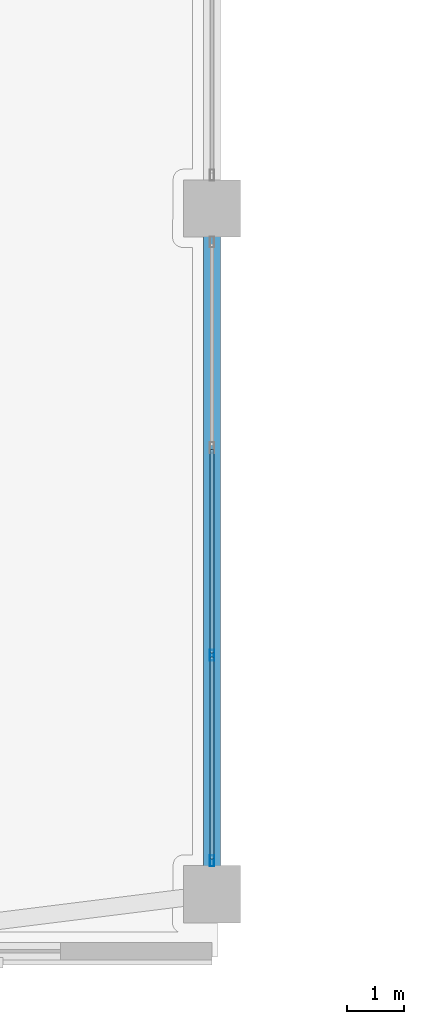
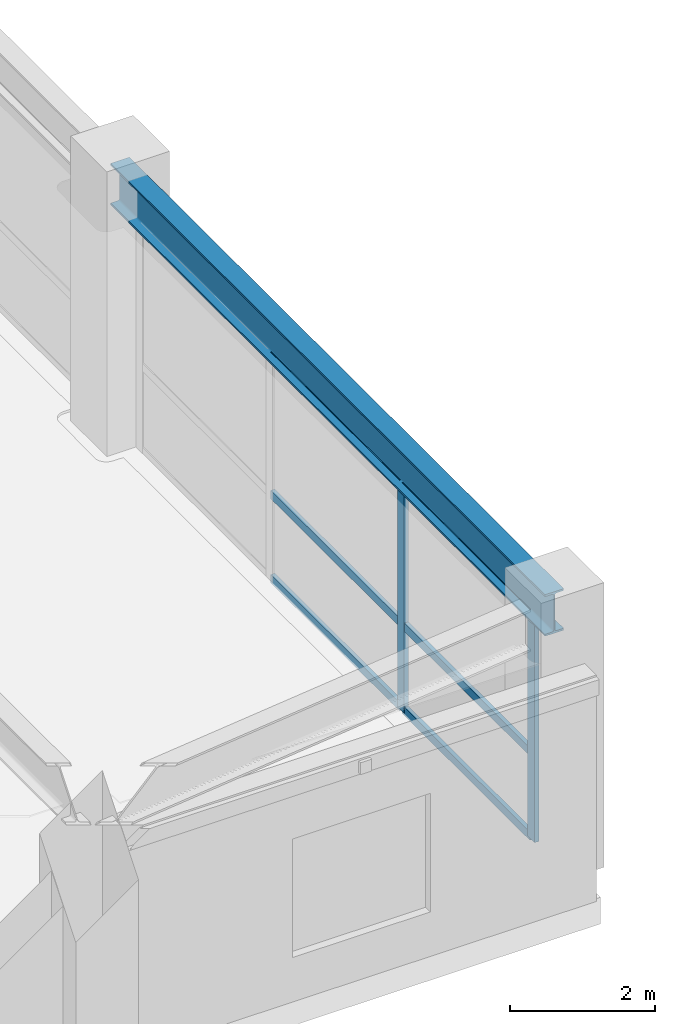
# One storey, part 3 of 34: 8 members, 1 beam, 1 element without a shape of its own.
"""IFC4 building model written with IfcOpenShell, lengths in metres."""

from ifc_helpers import new_model, si_unit, derived_unit, direction, frame, origin, origin_2d, place, context, subcontext, project, spatial, hollow_rectangle, i_section, extrude, source, transform, mapped, material, layer, layer_set, material_profile, profile_set, type_object, element, aggregate, save


model = new_model("IFC4")

# Units and contexts
model_context = context("Model", 3, precision=1e-05, world=origin(), true_north=direction((0.0, 1.0)))
body_context = subcontext(model_context, "Body", "Model", "MODEL_VIEW")
ifc_project = project(units=[si_unit("LENGTHUNIT", "METRE"), si_unit("AREAUNIT", "SQUARE_METRE"), si_unit("VOLUMEUNIT", "CUBIC_METRE"), si_unit("PLANEANGLEUNIT", "RADIAN"), si_unit("MASSUNIT", "GRAM", prefix="KILO"), derived_unit("THERMALTRANSMITTANCEUNIT", [(si_unit("POWERUNIT", "WATT"), 1), (si_unit("LENGTHUNIT", "METRE"), -2), (si_unit("THERMODYNAMICTEMPERATUREUNIT", "KELVIN"), -1)])], contexts=[model_context])

# Site, building, storey
site_placement = place(None, origin())
site = spatial("IfcSite", under=ifc_project, at=site_placement, CompositionType="ELEMENT")
building_placement = place(site_placement, origin())
building = spatial("IfcBuilding", under=site, at=building_placement, Name="Korsvarv Bourse and Concert Hall", CompositionType="ELEMENT")
storey_placement = place(building_placement, frame((0.0, 0.0, 14.39990234375)))
storey = spatial("IfcBuildingStorey", under=building, at=storey_placement, Name="L03", CompositionType="ELEMENT", Elevation=14.39990234375)

# Beam
ifc_material_1 = material(Name="Steel S355", Category="steel")
ifc_material_profile_1 = material_profile(ifc_material_1, i_section(OverallWidth=0.300048828125, OverallDepth=0.699951171875, WebThickness=0.01708984375, FlangeThickness=0.031982421875, FilletRadius=0.027099609375, at=origin_2d()), Name="HEB 700")
ifc_profile_set_1 = profile_set([ifc_material_profile_1], Name="Steel S355")
beam_type = type_object("IfcBeamType", Name="BM-HEB700", PredefinedType="BEAM", material=ifc_profile_set_1)
shared_shape_1 = source(origin(), body_context, "Body", "SweptSolid", [
    extrude(i_section(OverallWidth=0.300048828125, OverallDepth=0.699951171875, WebThickness=0.01708984375, FlangeThickness=0.031982421875, FilletRadius=0.027099609375, at=origin_2d()), origin(), (0.0, 0.0, 1.0), 12.0),
])
beam_placement = place(storey_placement, frame((66.0, 4.0, 4.170166015625), z_axis=(0.0, 1.0, 0.0), x_axis=(-1.0, 0.0, 0.0)))
element("IfcBeam", 1, at=beam_placement, inside=storey, type_object=beam_type, Name="L03 beam B-03", PredefinedType="BEAM", context=body_context, shape_type="MappedRepresentation", body=[
    mapped(shared_shape_1, transform((0.0, 0.0, 0.0), scale=1.0)),
])

# Curtain wall, members
ifc_material_2 = material(Name="Anodised aluminium and triple low-E glazing", Category="glass")
ifc_layer = layer(ifc_material_2, 0.239990234375)
ifc_layer_set = layer_set([ifc_layer], Name="Anodised aluminium and triple low-E glazing")
curtain_wall_type = type_object("IfcCurtainWallType", Name="CW-SYS-5", PredefinedType="NOTDEFINED", material=ifc_layer_set)
curtain_wall_placement = place(storey_placement, origin())
curtain_wall = element("IfcCurtainWall", 2, at=curtain_wall_placement, inside=storey, type_object=curtain_wall_type, Name="L03 CW5 curtain wall CW-L03-E1", PredefinedType="NOTDEFINED")
ifc_material_3 = material(Name="Extruded aluminium EN AW-6063 T66", Category="aluminium")
ifc_material_profile_2 = material_profile(ifc_material_3, hollow_rectangle(XDim=0.070068359375, YDim=0.18994140625, WallThickness=0.0048828125, at=origin_2d()), Name="ALU-M 70x190")
ifc_profile_set_2 = profile_set([ifc_material_profile_2], Name="Extruded aluminium EN AW-6063 T66")
member_type_1 = type_object("IfcMemberType", Name="CWM-190", PredefinedType="MULLION", material=ifc_profile_set_2)
shared_shape_2 = source(origin(), body_context, "Body", "SweptSolid", [
    extrude(hollow_rectangle(XDim=0.070068359375, YDim=0.18994140625, WallThickness=0.0048828125, at=origin_2d()), origin(), (0.0, 0.0, 1.0), 3.820068359375),
])
member_1_placement = place(storey_placement, frame((66.0, 4.5849609375, 0.0), z_axis=(0.0, 0.0, 1.0), x_axis=(-1.0, 0.0, 0.0)))
member_1 = element("IfcMember", 3, at=member_1_placement, type_object=member_type_1, Name="CW5 mullion 1", PredefinedType="MULLION", context=body_context, shape_type="MappedRepresentation", body=[
    mapped(shared_shape_2, transform((0.0, 0.0, 0.0), scale=1.0)),
])
member_2_placement = place(storey_placement, frame((66.0, 8.183349609375, 0.0), z_axis=(0.0, 0.0, 1.0), x_axis=(-1.0, 0.0, 0.0)))
member_2 = element("IfcMember", 4, at=member_2_placement, type_object=member_type_1, Name="CW5 mullion 2", PredefinedType="MULLION", context=body_context, shape_type="MappedRepresentation", body=[
    mapped(shared_shape_2, transform((0.0, 0.0, 0.0), scale=1.0)),
])
ifc_material_profile_3 = material_profile(ifc_material_3, hollow_rectangle(XDim=0.06494140625, YDim=0.139892578125, WallThickness=0.00390625, at=origin_2d()), Name="ALU-T 65x140")
ifc_profile_set_3 = profile_set([ifc_material_profile_3], Name="Extruded aluminium EN AW-6063 T66")
member_type_2 = type_object("IfcMemberType", Name="CWT-140", PredefinedType="USERDEFINED", material=ifc_profile_set_3)
shared_shape_3 = source(origin(), body_context, "Body", "SweptSolid", [
    extrude(hollow_rectangle(XDim=0.06494140625, YDim=0.139892578125, WallThickness=0.00390625, at=origin_2d()), origin(), (0.0, 0.0, 1.0), 3.5283203125),
])
member_3_placement = place(storey_placement, frame((66.0, 4.6201171875, 0.03271484375), z_axis=(0.0, 1.0, 0.0), x_axis=(-1.0, 0.0, 0.0)))
member_3 = element("IfcMember", 5, at=member_3_placement, type_object=member_type_2, Name="CW5 transom 1.1", ObjectType="TRANSOM", PredefinedType="USERDEFINED", context=body_context, shape_type="MappedRepresentation", body=[
    mapped(shared_shape_3, transform((0.0, 0.0, 0.0), scale=1.0)),
])
member_4_placement = place(storey_placement, frame((66.0, 4.6201171875, 1.45166015625), z_axis=(0.0, 1.0, 0.0), x_axis=(-1.0, 0.0, 0.0)))
member_4 = element("IfcMember", 6, at=member_4_placement, type_object=member_type_2, Name="CW5 transom 1.2", ObjectType="TRANSOM", PredefinedType="USERDEFINED", context=body_context, shape_type="MappedRepresentation", body=[
    mapped(shared_shape_3, transform((0.0, 0.0, 0.0), scale=1.0)),
])
member_5_placement = place(storey_placement, frame((66.0, 4.6201171875, 3.78759765625), z_axis=(0.0, 1.0, 0.0), x_axis=(-1.0, 0.0, 0.0)))
member_5 = element("IfcMember", 7, at=member_5_placement, type_object=member_type_2, Name="CW5 transom 1.3", ObjectType="TRANSOM", PredefinedType="USERDEFINED", context=body_context, shape_type="MappedRepresentation", body=[
    mapped(shared_shape_3, transform((0.0, 0.0, 0.0), scale=1.0)),
])
shared_shape_4 = source(origin(), body_context, "Body", "SweptSolid", [
    extrude(hollow_rectangle(XDim=0.06494140625, YDim=0.139892578125, WallThickness=0.00390625, at=origin_2d()), origin(), (0.0, 0.0, 1.0), 3.5634765625),
])
member_6_placement = place(storey_placement, frame((66.0, 8.21826171875, 0.03271484375), z_axis=(0.0, 1.0, 0.0), x_axis=(-1.0, 0.0, 0.0)))
member_6 = element("IfcMember", 8, at=member_6_placement, type_object=member_type_2, Name="CW5 transom 2.1", ObjectType="TRANSOM", PredefinedType="USERDEFINED", context=body_context, shape_type="MappedRepresentation", body=[
    mapped(shared_shape_4, transform((0.0, 0.0, 0.0), scale=1.0)),
])
member_7_placement = place(storey_placement, frame((66.0, 8.21826171875, 1.45166015625), z_axis=(0.0, 1.0, 0.0), x_axis=(-1.0, 0.0, 0.0)))
member_7 = element("IfcMember", 9, at=member_7_placement, type_object=member_type_2, Name="CW5 transom 2.2", ObjectType="TRANSOM", PredefinedType="USERDEFINED", context=body_context, shape_type="MappedRepresentation", body=[
    mapped(shared_shape_4, transform((0.0, 0.0, 0.0), scale=1.0)),
])
member_8_placement = place(storey_placement, frame((66.0, 8.21826171875, 3.78759765625), z_axis=(0.0, 1.0, 0.0), x_axis=(-1.0, 0.0, 0.0)))
member_8 = element("IfcMember", 10, at=member_8_placement, type_object=member_type_2, Name="CW5 transom 2.3", ObjectType="TRANSOM", PredefinedType="USERDEFINED", context=body_context, shape_type="MappedRepresentation", body=[
    mapped(shared_shape_4, transform((0.0, 0.0, 0.0), scale=1.0)),
])
aggregate(curtain_wall, [member_1, member_2, member_3, member_4, member_5, member_6, member_7, member_8])

save(model, "model.ifc")
